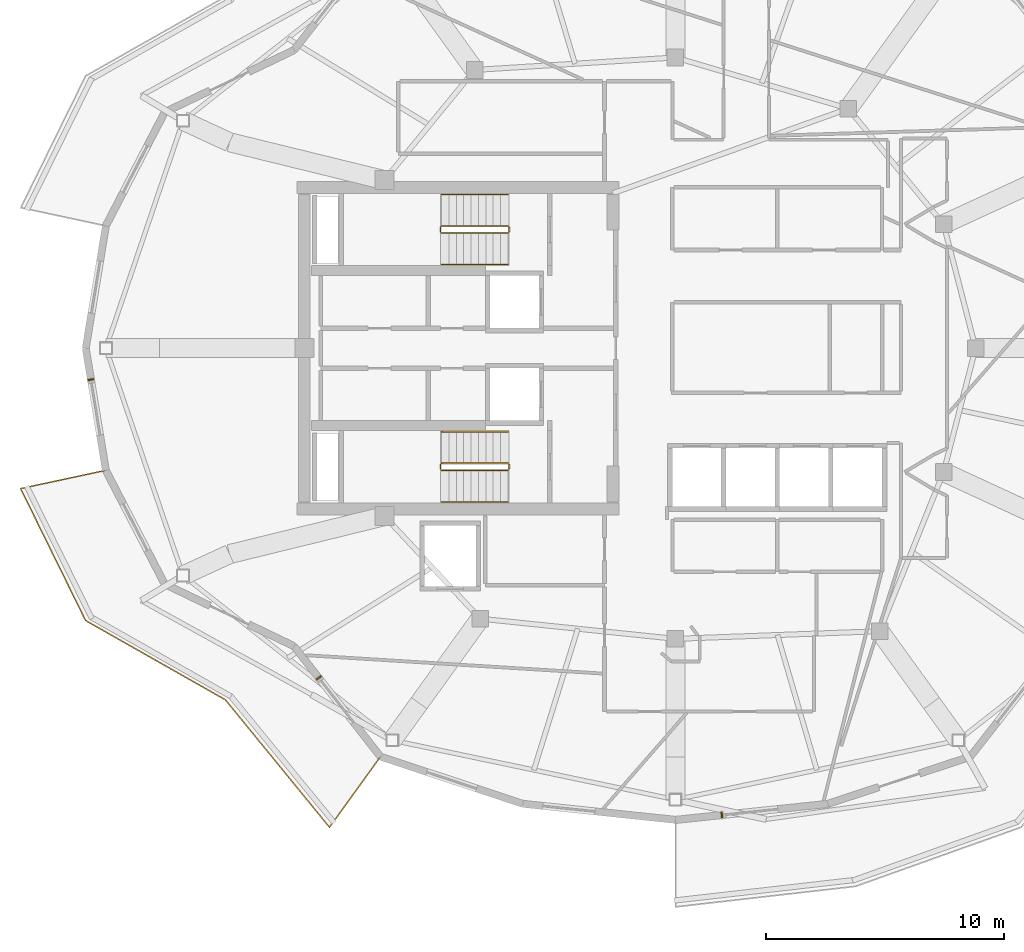
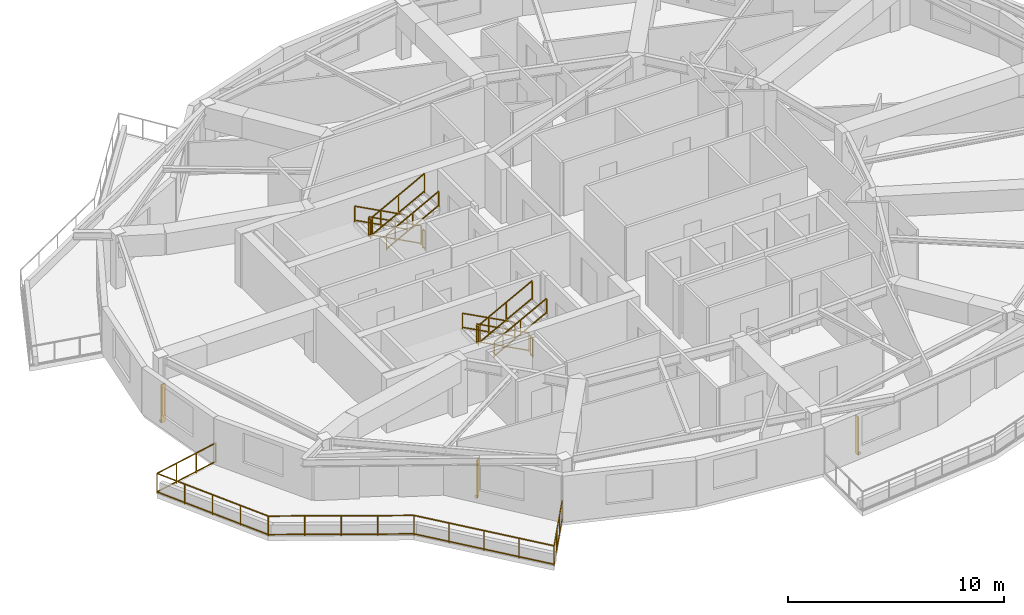
# One storey, part 8 of 11: 13 railings, 3 shading devices.
"""IFC4 building model written with IfcOpenShell, lengths in metres."""

from ifc_helpers import new_model, si_unit, direction, frame, origin, origin_2d, place, context, subcontext, project, spatial, rectangle, extrude, material, type_object, element, save


model = new_model("IFC4")

# Units and contexts
model_context = context("Model", 3, precision=1e-05, world=origin(), true_north=direction((0.0, 1.0)))
body_context = subcontext(model_context, "Body", "Model", "MODEL_VIEW")
ifc_project = project(units=[si_unit("LENGTHUNIT", "METRE"), si_unit("AREAUNIT", "SQUARE_METRE"), si_unit("VOLUMEUNIT", "CUBIC_METRE"), si_unit("PLANEANGLEUNIT", "RADIAN"), si_unit("MASSUNIT", "GRAM", prefix="KILO")], contexts=[model_context])

# Site, building, storey
site_placement = place(None, origin())
site = spatial("IfcSite", under=ifc_project, at=site_placement, CompositionType="ELEMENT")
building_placement = place(site_placement, origin())
building = spatial("IfcBuilding", under=site, at=building_placement, Name="Kolvaren Gate Tower and Convention Centre", CompositionType="ELEMENT")
storey_placement = place(building_placement, frame((0.0, 0.0, 236.0)))
storey = spatial("IfcBuildingStorey", under=building, at=storey_placement, Name="L63", CompositionType="ELEMENT", Elevation=236.0)

# Railings
ifc_material_1 = material(Name="Brushed Stainless Steel Grade 316L", Category="steel")
railing_type_1 = type_object("IfcRailingType", Name="ARCH-RL-GUARD-1150", PredefinedType="GUARDRAIL", material=ifc_material_1)
railing_1_placement = place(storey_placement, frame((23.10009765625, 32.1298828125, 0.1650390625)))
element("IfcRailing", 1, at=railing_1_placement, inside=storey, type_object=railing_type_1, Name="L63 ST-T1 stair guard 1", PredefinedType="GUARDRAIL", context=body_context, shape_type="SweptSolid", body=[
    extrude(rectangle(XDim=0.048095703125, YDim=0.048095703125, at=origin_2d()), frame((0.0, 0.0, 1.076171875), z_axis=(-0.882767428149, 0.0, 0.469810246588), x_axis=(0.0, -1.0, 0.0)), (0.0, 0.0, 1.0), 3.16064453125),
    extrude(rectangle(XDim=0.048095703125, YDim=0.048095703125, at=origin_2d()), frame((0.0, 0.0, 0.083984375), z_axis=(-0.882767428149, 0.0, 0.469810246588), x_axis=(0.0, -1.0, 0.0)), (0.0, 0.0, 1.0), 3.16064453125),
    extrude(rectangle(XDim=0.0419921875, YDim=0.0419921875, at=origin_2d()), origin(), (0.0, 0.0, 1.0), 1.050048828125),
    extrude(rectangle(XDim=0.0419921875, YDim=0.0419921875, at=origin_2d()), frame((-2.7900390625, 0.0, 1.48486328125)), (0.0, 0.0, 1.0), 1.050048828125),
    extrude(rectangle(XDim=0.0419921875, YDim=0.0419921875, at=origin_2d()), frame((-1.39501953125, 0.0, 0.742431640625)), (0.0, 0.0, 1.0), 1.050048828125),
])
railing_2_placement = place(storey_placement, frame((20.260009765625, 32.080078125, 1.64990234375)))
element("IfcRailing", 2, at=railing_2_placement, inside=storey, type_object=railing_type_1, Name="L63 ST-T1 stair guard 2", PredefinedType="GUARDRAIL", context=body_context, shape_type="SweptSolid", body=[
    extrude(rectangle(XDim=0.048095703125, YDim=0.048095703125, at=origin_2d()), frame((0.0, 0.0, 1.076171875), z_axis=(0.0, -1.0, 0.0), x_axis=(1.0, 0.0, 0.0)), (0.0, 0.0, 1.0), 0.2001953125),
    extrude(rectangle(XDim=0.048095703125, YDim=0.048095703125, at=origin_2d()), frame((0.0, 0.0, 0.083984375), z_axis=(0.0, -1.0, 0.0), x_axis=(1.0, 0.0, 0.0)), (0.0, 0.0, 1.0), 0.2001953125),
    extrude(rectangle(XDim=0.0419921875, YDim=0.0419921875, at=origin_2d()), origin(), (0.0, 0.0, 1.0), 1.050048828125),
    extrude(rectangle(XDim=0.0419921875, YDim=0.0419921875, at=origin_2d()), frame((0.0, -0.2001953125, 0.0)), (0.0, 0.0, 1.0), 1.050048828125),
])
railing_3_placement = place(storey_placement, frame((20.31005859375, 31.830078125, 1.81494140625)))
element("IfcRailing", 3, at=railing_3_placement, inside=storey, type_object=railing_type_1, Name="L63 ST-T1 stair guard 3", PredefinedType="GUARDRAIL", context=body_context, shape_type="SweptSolid", body=[
    extrude(rectangle(XDim=0.048095703125, YDim=0.048095703125, at=origin_2d()), frame((0.0, 0.0, 1.076171875), z_axis=(0.882735390775, 0.0, 0.469870439454), x_axis=(0.0, 1.0, 0.0)), (0.0, 0.0, 1.0), 3.16064453125),
    extrude(rectangle(XDim=0.048095703125, YDim=0.048095703125, at=origin_2d()), frame((0.0, 0.0, 0.083984375), z_axis=(0.882735390775, 0.0, 0.469870439454), x_axis=(0.0, 1.0, 0.0)), (0.0, 0.0, 1.0), 3.16064453125),
    extrude(rectangle(XDim=0.0419921875, YDim=0.0419921875, at=origin_2d()), origin(), (0.0, 0.0, 1.0), 1.050048828125),
    extrude(rectangle(XDim=0.0419921875, YDim=0.0419921875, at=origin_2d()), frame((2.7900390625, 0.0, 1.485107421875)), (0.0, 0.0, 1.0), 1.050048828125),
    extrude(rectangle(XDim=0.0419921875, YDim=0.0419921875, at=origin_2d()), frame((1.39501953125, 0.0, 0.74267578125)), (0.0, 0.0, 1.0), 1.050048828125),
])
railing_4_placement = place(storey_placement, frame((23.14990234375, 32.080078125, 0.0)))
element("IfcRailing", 4, at=railing_4_placement, inside=storey, type_object=railing_type_1, Name="L63 ST-T1 stair guard 4", PredefinedType="GUARDRAIL", context=body_context, shape_type="SweptSolid", body=[
    extrude(rectangle(XDim=0.048095703125, YDim=0.048095703125, at=origin_2d()), frame((0.0, 0.0, 1.076171875), z_axis=(0.0, -1.0, 0.0), x_axis=(1.0, 0.0, 0.0)), (0.0, 0.0, 1.0), 0.2001953125),
    extrude(rectangle(XDim=0.048095703125, YDim=0.048095703125, at=origin_2d()), frame((0.0, 0.0, 0.083984375), z_axis=(0.0, -1.0, 0.0), x_axis=(1.0, 0.0, 0.0)), (0.0, 0.0, 1.0), 0.2001953125),
    extrude(rectangle(XDim=0.0419921875, YDim=0.0419921875, at=origin_2d()), origin(), (0.0, 0.0, 1.0), 1.050048828125),
    extrude(rectangle(XDim=0.0419921875, YDim=0.0419921875, at=origin_2d()), frame((0.0, -0.2001953125, 0.0)), (0.0, 0.0, 1.0), 1.050048828125),
])
railing_5_placement = place(storey_placement, frame((23.10009765625, 22.169921875, 0.1650390625)))
element("IfcRailing", 5, at=railing_5_placement, inside=storey, type_object=railing_type_1, Name="L63 ST-T2 stair guard 1", PredefinedType="GUARDRAIL", context=body_context, shape_type="SweptSolid", body=[
    extrude(rectangle(XDim=0.048095703125, YDim=0.048095703125, at=origin_2d()), frame((0.0, 0.0, 1.076171875), z_axis=(-0.882767428149, 0.0, 0.469810246588), x_axis=(0.0, -1.0, 0.0)), (0.0, 0.0, 1.0), 3.16064453125),
    extrude(rectangle(XDim=0.048095703125, YDim=0.048095703125, at=origin_2d()), frame((0.0, 0.0, 0.083984375), z_axis=(-0.882767428149, 0.0, 0.469810246588), x_axis=(0.0, -1.0, 0.0)), (0.0, 0.0, 1.0), 3.16064453125),
    extrude(rectangle(XDim=0.0419921875, YDim=0.0419921875, at=origin_2d()), origin(), (0.0, 0.0, 1.0), 1.050048828125),
    extrude(rectangle(XDim=0.0419921875, YDim=0.0419921875, at=origin_2d()), frame((-2.7900390625, 0.0, 1.48486328125)), (0.0, 0.0, 1.0), 1.050048828125),
    extrude(rectangle(XDim=0.0419921875, YDim=0.0419921875, at=origin_2d()), frame((-1.39501953125, 0.0, 0.742431640625)), (0.0, 0.0, 1.0), 1.050048828125),
])
railing_6_placement = place(storey_placement, frame((20.260009765625, 22.1201171875, 1.64990234375)))
element("IfcRailing", 6, at=railing_6_placement, inside=storey, type_object=railing_type_1, Name="L63 ST-T2 stair guard 2", PredefinedType="GUARDRAIL", context=body_context, shape_type="SweptSolid", body=[
    extrude(rectangle(XDim=0.048095703125, YDim=0.048095703125, at=origin_2d()), frame((0.0, 0.0, 1.076171875), z_axis=(0.0, -1.0, 0.0), x_axis=(1.0, 0.0, 0.0)), (0.0, 0.0, 1.0), 0.2001953125),
    extrude(rectangle(XDim=0.048095703125, YDim=0.048095703125, at=origin_2d()), frame((0.0, 0.0, 0.083984375), z_axis=(0.0, -1.0, 0.0), x_axis=(1.0, 0.0, 0.0)), (0.0, 0.0, 1.0), 0.2001953125),
    extrude(rectangle(XDim=0.0419921875, YDim=0.0419921875, at=origin_2d()), origin(), (0.0, 0.0, 1.0), 1.050048828125),
    extrude(rectangle(XDim=0.0419921875, YDim=0.0419921875, at=origin_2d()), frame((0.0, -0.2001953125, 0.0)), (0.0, 0.0, 1.0), 1.050048828125),
])
railing_7_placement = place(storey_placement, frame((20.31005859375, 21.8701171875, 1.81494140625)))
element("IfcRailing", 7, at=railing_7_placement, inside=storey, type_object=railing_type_1, Name="L63 ST-T2 stair guard 3", PredefinedType="GUARDRAIL", context=body_context, shape_type="SweptSolid", body=[
    extrude(rectangle(XDim=0.048095703125, YDim=0.048095703125, at=origin_2d()), frame((0.0, 0.0, 1.076171875), z_axis=(0.882735390775, 0.0, 0.469870439454), x_axis=(0.0, 1.0, 0.0)), (0.0, 0.0, 1.0), 3.16064453125),
    extrude(rectangle(XDim=0.048095703125, YDim=0.048095703125, at=origin_2d()), frame((0.0, 0.0, 0.083984375), z_axis=(0.882735390775, 0.0, 0.469870439454), x_axis=(0.0, 1.0, 0.0)), (0.0, 0.0, 1.0), 3.16064453125),
    extrude(rectangle(XDim=0.0419921875, YDim=0.0419921875, at=origin_2d()), origin(), (0.0, 0.0, 1.0), 1.050048828125),
    extrude(rectangle(XDim=0.0419921875, YDim=0.0419921875, at=origin_2d()), frame((2.7900390625, 0.0, 1.485107421875)), (0.0, 0.0, 1.0), 1.050048828125),
    extrude(rectangle(XDim=0.0419921875, YDim=0.0419921875, at=origin_2d()), frame((1.39501953125, 0.0, 0.74267578125)), (0.0, 0.0, 1.0), 1.050048828125),
])
railing_8_placement = place(storey_placement, frame((23.14990234375, 22.1201171875, 0.0)))
element("IfcRailing", 8, at=railing_8_placement, inside=storey, type_object=railing_type_1, Name="L63 ST-T2 stair guard 4", PredefinedType="GUARDRAIL", context=body_context, shape_type="SweptSolid", body=[
    extrude(rectangle(XDim=0.048095703125, YDim=0.048095703125, at=origin_2d()), frame((0.0, 0.0, 1.076171875), z_axis=(0.0, -1.0, 0.0), x_axis=(1.0, 0.0, 0.0)), (0.0, 0.0, 1.0), 0.2001953125),
    extrude(rectangle(XDim=0.048095703125, YDim=0.048095703125, at=origin_2d()), frame((0.0, 0.0, 0.083984375), z_axis=(0.0, -1.0, 0.0), x_axis=(1.0, 0.0, 0.0)), (0.0, 0.0, 1.0), 0.2001953125),
    extrude(rectangle(XDim=0.0419921875, YDim=0.0419921875, at=origin_2d()), origin(), (0.0, 0.0, 1.0), 1.050048828125),
    extrude(rectangle(XDim=0.0419921875, YDim=0.0419921875, at=origin_2d()), frame((0.0, -0.2001953125, 0.0)), (0.0, 0.0, 1.0), 1.050048828125),
])
railing_9_placement = place(storey_placement, frame((6.21826171875, 21.87548828125, 0.0)))
element("IfcRailing", 9, at=railing_9_placement, inside=storey, type_object=railing_type_1, Name="Tower L63 Terrace Perimeter Guardrail GR-2", PredefinedType="GUARDRAIL", context=body_context, shape_type="SweptSolid", body=[
    extrude(rectangle(XDim=0.048095703125, YDim=0.048095703125, at=origin_2d()), frame((-0.02734375, -0.005859375, 1.1259765625), z_axis=(-0.977788745232, -0.209592866525, 0.0), x_axis=(0.209592866525, -0.977788745232, 0.0)), (0.0, 0.0, 1.0), 3.603759765625),
    extrude(rectangle(XDim=0.048095703125, YDim=0.048095703125, at=origin_2d()), frame((-0.02734375, -0.005859375, 0.083984375), z_axis=(-0.977788745232, -0.209592866525, 0.0), x_axis=(0.209592866525, -0.977788745232, 0.0)), (0.0, 0.0, 1.0), 3.603759765625),
    extrude(rectangle(XDim=0.048095703125, YDim=0.048095703125, at=origin_2d()), frame((-3.566162109375, -0.792236328125, 1.1259765625), z_axis=(0.441625304244, -0.897199582396, 0.0), x_axis=(0.897199582396, 0.441625304244, 0.0)), (0.0, 0.0, 1.0), 6.122314453125),
    extrude(rectangle(XDim=0.048095703125, YDim=0.048095703125, at=origin_2d()), frame((-3.566162109375, -0.792236328125, 0.083984375), z_axis=(0.441625304244, -0.897199582396, 0.0), x_axis=(0.897199582396, 0.441625304244, 0.0)), (0.0, 0.0, 1.0), 6.122314453125),
    extrude(rectangle(XDim=0.048095703125, YDim=0.048095703125, at=origin_2d()), frame((-0.82568359375, -6.32421875, 1.1259765625), z_axis=(0.869876155964, -0.493270182846, 0.0), x_axis=(0.493270182846, 0.869876155964, 0.0)), (0.0, 0.0, 1.0), 6.6865234375),
    extrude(rectangle(XDim=0.048095703125, YDim=0.048095703125, at=origin_2d()), frame((-0.82568359375, -6.32421875, 0.083984375), z_axis=(0.869876155964, -0.493270182846, 0.0), x_axis=(0.493270182846, 0.869876155964, 0.0)), (0.0, 0.0, 1.0), 6.6865234375),
    extrude(rectangle(XDim=0.048095703125, YDim=0.048095703125, at=origin_2d()), frame((5.032958984375, -9.657958984375, 1.1259765625), z_axis=(0.632718487063, -0.77438189295, 0.0), x_axis=(0.77438189295, 0.632718487063, 0.0)), (0.0, 0.0, 1.0), 6.858154296875),
    extrude(rectangle(XDim=0.048095703125, YDim=0.048095703125, at=origin_2d()), frame((5.032958984375, -9.657958984375, 0.083984375), z_axis=(0.632718487063, -0.77438189295, 0.0), x_axis=(0.77438189295, 0.632718487063, 0.0)), (0.0, 0.0, 1.0), 6.858154296875),
    extrude(rectangle(XDim=0.048095703125, YDim=0.048095703125, at=origin_2d()), frame((9.40625, -14.9677734375, 1.1259765625), z_axis=(0.585212870465, 0.810879705161, 0.0), x_axis=(-0.810879705161, 0.585212870465, 0.0)), (0.0, 0.0, 1.0), 3.603759765625),
    extrude(rectangle(XDim=0.048095703125, YDim=0.048095703125, at=origin_2d()), frame((9.40625, -14.9677734375, 0.083984375), z_axis=(0.585212870465, 0.810879705161, 0.0), x_axis=(-0.810879705161, 0.585212870465, 0.0)), (0.0, 0.0, 1.0), 3.603759765625),
    extrude(rectangle(XDim=0.0419921875, YDim=0.0419921875, at=origin_2d()), origin(), (0.0, 0.0, 1.0), 1.14990234375),
    extrude(rectangle(XDim=0.0419921875, YDim=0.0419921875, at=origin_2d()), frame((-3.57861328125, -0.76708984375, 0.0)), (0.0, 0.0, 1.0), 1.14990234375),
    extrude(rectangle(XDim=0.0419921875, YDim=0.0419921875, at=origin_2d()), frame((-1.19287109375, -0.255615234375, 0.0)), (0.0, 0.0, 1.0), 1.099853515625),
    extrude(rectangle(XDim=0.0419921875, YDim=0.0419921875, at=origin_2d()), frame((-2.3857421875, -0.511474609375, 0.0)), (0.0, 0.0, 1.0), 1.099853515625),
    extrude(rectangle(XDim=0.0419921875, YDim=0.0419921875, at=origin_2d()), frame((-0.85009765625, -6.310302734375, 0.0)), (0.0, 0.0, 1.0), 1.14990234375),
    extrude(rectangle(XDim=0.0419921875, YDim=0.0419921875, at=origin_2d()), frame((-2.896484375, -2.15283203125, 0.0)), (0.0, 0.0, 1.0), 1.099853515625),
    extrude(rectangle(XDim=0.0419921875, YDim=0.0419921875, at=origin_2d()), frame((-2.21435546875, -3.53857421875, 0.0)), (0.0, 0.0, 1.0), 1.099853515625),
    extrude(rectangle(XDim=0.0419921875, YDim=0.0419921875, at=origin_2d()), frame((-1.5322265625, -4.924560546875, 0.0)), (0.0, 0.0, 1.0), 1.099853515625),
    extrude(rectangle(XDim=0.0419921875, YDim=0.0419921875, at=origin_2d()), frame((5.01513671875, -9.63623046875, 0.0)), (0.0, 0.0, 1.0), 1.14990234375),
    extrude(rectangle(XDim=0.0419921875, YDim=0.0419921875, at=origin_2d()), frame((0.6162109375, -7.141845703125, 0.0)), (0.0, 0.0, 1.0), 1.099853515625),
    extrude(rectangle(XDim=0.0419921875, YDim=0.0419921875, at=origin_2d()), frame((2.08251953125, -7.97314453125, 0.0)), (0.0, 0.0, 1.0), 1.099853515625),
    extrude(rectangle(XDim=0.0419921875, YDim=0.0419921875, at=origin_2d()), frame((3.548828125, -8.8046875, 0.0)), (0.0, 0.0, 1.0), 1.099853515625),
    extrude(rectangle(XDim=0.0419921875, YDim=0.0419921875, at=origin_2d()), frame((9.389892578125, -14.990478515625, 0.0)), (0.0, 0.0, 1.0), 1.14990234375),
    extrude(rectangle(XDim=0.0419921875, YDim=0.0419921875, at=origin_2d()), frame((6.10888671875, -10.974853515625, 0.0)), (0.0, 0.0, 1.0), 1.099853515625),
    extrude(rectangle(XDim=0.0419921875, YDim=0.0419921875, at=origin_2d()), frame((7.20263671875, -12.3134765625, 0.0)), (0.0, 0.0, 1.0), 1.099853515625),
    extrude(rectangle(XDim=0.0419921875, YDim=0.0419921875, at=origin_2d()), frame((8.296142578125, -13.65185546875, 0.0)), (0.0, 0.0, 1.0), 1.099853515625),
    extrude(rectangle(XDim=0.0419921875, YDim=0.0419921875, at=origin_2d()), frame((11.53173828125, -12.022705078125, 0.0)), (0.0, 0.0, 1.0), 1.14990234375),
    extrude(rectangle(XDim=0.0419921875, YDim=0.0419921875, at=origin_2d()), frame((10.103759765625, -14.001220703125, 0.0)), (0.0, 0.0, 1.0), 1.099853515625),
    extrude(rectangle(XDim=0.0419921875, YDim=0.0419921875, at=origin_2d()), frame((10.81787109375, -13.011962890625, 0.0)), (0.0, 0.0, 1.0), 1.099853515625),
])
railing_type_2 = type_object("IfcRailingType", Name="ARCH-RL-HANDRAIL-920", PredefinedType="HANDRAIL", material=ifc_material_1)
railing_10_placement = place(storey_placement, frame((23.10009765625, 33.449951171875, 0.1650390625)))
element("IfcRailing", 10, at=railing_10_placement, inside=storey, type_object=railing_type_2, Name="L63 ST-T1 stair handrail 1", PredefinedType="HANDRAIL", context=body_context, shape_type="SweptSolid", body=[
    extrude(rectangle(XDim=0.048095703125, YDim=0.048095703125, at=origin_2d()), frame((0.0, 0.0, 0.8759765625), z_axis=(-0.882767428149, 0.0, 0.469810246588), x_axis=(0.0, -1.0, 0.0)), (0.0, 0.0, 1.0), 3.16064453125),
    extrude(rectangle(XDim=0.048095703125, YDim=0.048095703125, at=origin_2d()), frame((0.0, 0.0, 0.083984375), z_axis=(-0.882767428149, 0.0, 0.469810246588), x_axis=(0.0, -1.0, 0.0)), (0.0, 0.0, 1.0), 3.16064453125),
    extrude(rectangle(XDim=0.0419921875, YDim=0.0419921875, at=origin_2d()), origin(), (0.0, 0.0, 1.0), 0.849853515625),
    extrude(rectangle(XDim=0.0419921875, YDim=0.0419921875, at=origin_2d()), frame((-2.7900390625, 0.0, 1.48486328125)), (0.0, 0.0, 1.0), 0.849853515625),
    extrude(rectangle(XDim=0.0419921875, YDim=0.0419921875, at=origin_2d()), frame((-1.39501953125, 0.0, 0.742431640625)), (0.0, 0.0, 1.0), 0.849853515625),
])
railing_11_placement = place(storey_placement, frame((20.31005859375, 30.510009765625, 1.81494140625)))
element("IfcRailing", 11, at=railing_11_placement, inside=storey, type_object=railing_type_2, Name="L63 ST-T1 stair handrail 2", PredefinedType="HANDRAIL", context=body_context, shape_type="SweptSolid", body=[
    extrude(rectangle(XDim=0.048095703125, YDim=0.048095703125, at=origin_2d()), frame((0.0, 0.0, 0.8759765625), z_axis=(0.882735390775, 0.0, 0.469870439454), x_axis=(0.0, 1.0, 0.0)), (0.0, 0.0, 1.0), 3.16064453125),
    extrude(rectangle(XDim=0.048095703125, YDim=0.048095703125, at=origin_2d()), frame((0.0, 0.0, 0.083984375), z_axis=(0.882735390775, 0.0, 0.469870439454), x_axis=(0.0, 1.0, 0.0)), (0.0, 0.0, 1.0), 3.16064453125),
    extrude(rectangle(XDim=0.0419921875, YDim=0.0419921875, at=origin_2d()), origin(), (0.0, 0.0, 1.0), 0.849853515625),
    extrude(rectangle(XDim=0.0419921875, YDim=0.0419921875, at=origin_2d()), frame((2.7900390625, 0.0, 1.485107421875)), (0.0, 0.0, 1.0), 0.849853515625),
    extrude(rectangle(XDim=0.0419921875, YDim=0.0419921875, at=origin_2d()), frame((1.39501953125, 0.0, 0.74267578125)), (0.0, 0.0, 1.0), 0.849853515625),
])
railing_12_placement = place(storey_placement, frame((23.10009765625, 23.489990234375, 0.1650390625)))
element("IfcRailing", 12, at=railing_12_placement, inside=storey, type_object=railing_type_2, Name="L63 ST-T2 stair handrail 1", PredefinedType="HANDRAIL", context=body_context, shape_type="SweptSolid", body=[
    extrude(rectangle(XDim=0.048095703125, YDim=0.048095703125, at=origin_2d()), frame((0.0, 0.0, 0.8759765625), z_axis=(-0.882767428149, 0.0, 0.469810246588), x_axis=(0.0, -1.0, 0.0)), (0.0, 0.0, 1.0), 3.16064453125),
    extrude(rectangle(XDim=0.048095703125, YDim=0.048095703125, at=origin_2d()), frame((0.0, 0.0, 0.083984375), z_axis=(-0.882767428149, 0.0, 0.469810246588), x_axis=(0.0, -1.0, 0.0)), (0.0, 0.0, 1.0), 3.16064453125),
    extrude(rectangle(XDim=0.0419921875, YDim=0.0419921875, at=origin_2d()), origin(), (0.0, 0.0, 1.0), 0.849853515625),
    extrude(rectangle(XDim=0.0419921875, YDim=0.0419921875, at=origin_2d()), frame((-2.7900390625, 0.0, 1.48486328125)), (0.0, 0.0, 1.0), 0.849853515625),
    extrude(rectangle(XDim=0.0419921875, YDim=0.0419921875, at=origin_2d()), frame((-1.39501953125, 0.0, 0.742431640625)), (0.0, 0.0, 1.0), 0.849853515625),
])
railing_13_placement = place(storey_placement, frame((20.31005859375, 20.550048828125, 1.81494140625)))
element("IfcRailing", 13, at=railing_13_placement, inside=storey, type_object=railing_type_2, Name="L63 ST-T2 stair handrail 2", PredefinedType="HANDRAIL", context=body_context, shape_type="SweptSolid", body=[
    extrude(rectangle(XDim=0.048095703125, YDim=0.048095703125, at=origin_2d()), frame((0.0, 0.0, 0.8759765625), z_axis=(0.882735390775, 0.0, 0.469870439454), x_axis=(0.0, 1.0, 0.0)), (0.0, 0.0, 1.0), 3.16064453125),
    extrude(rectangle(XDim=0.048095703125, YDim=0.048095703125, at=origin_2d()), frame((0.0, 0.0, 0.083984375), z_axis=(0.882735390775, 0.0, 0.469870439454), x_axis=(0.0, 1.0, 0.0)), (0.0, 0.0, 1.0), 3.16064453125),
    extrude(rectangle(XDim=0.0419921875, YDim=0.0419921875, at=origin_2d()), origin(), (0.0, 0.0, 1.0), 0.849853515625),
    extrude(rectangle(XDim=0.0419921875, YDim=0.0419921875, at=origin_2d()), frame((2.7900390625, 0.0, 1.485107421875)), (0.0, 0.0, 1.0), 0.849853515625),
    extrude(rectangle(XDim=0.0419921875, YDim=0.0419921875, at=origin_2d()), frame((1.39501953125, 0.0, 0.74267578125)), (0.0, 0.0, 1.0), 0.849853515625),
])

# Shading devices
ifc_material_2 = material(Name="Kiln-Fired Bogota Terracotta Ceramic Louvre Profile", Category="masonry")
shading_device_type = type_object("IfcShadingDeviceType", Name="ARCH-SHD-FIN-180", PredefinedType="JALOUSIE", material=ifc_material_2)
for number, where, z_axis, x_axis, name in (
    (14, (5.592041015625, 25.6806640625, 0.219970703125), (0.0, 0.0, 1.0), (0.162375401515, -0.986729055508, 0.0), "Ceramic Vertical Brise-Soleil Fin FN-L63-12"),
    (15, (15.15673828125, 13.1650390625, 0.219970703125), (0.0, 0.0, 1.0), (0.616434119112, -0.787406487651, 0.0), "Ceramic Vertical Brise-Soleil Fin FN-L63-15"),
    (16, (32.0751953125, 7.405517578125, 0.219970703125), (0.0, 0.0, 1.0), (0.994498884311, 0.104747167526, 0.0), "Ceramic Vertical Brise-Soleil Fin FN-L63-18"),
):
    element("IfcShadingDevice", number, at=place(storey_placement, frame(where, z_axis=z_axis, x_axis=x_axis)), inside=storey, type_object=shading_device_type, Name=name, PredefinedType="JALOUSIE", context=body_context, shape_type="SweptSolid", body=[
        extrude(rectangle(XDim=0.06005859375, YDim=0.239990234375, at=origin_2d()), origin(), (0.0, 0.0, 1.0), 2.14990234375),
    ])

save(model, "model.ifc")
